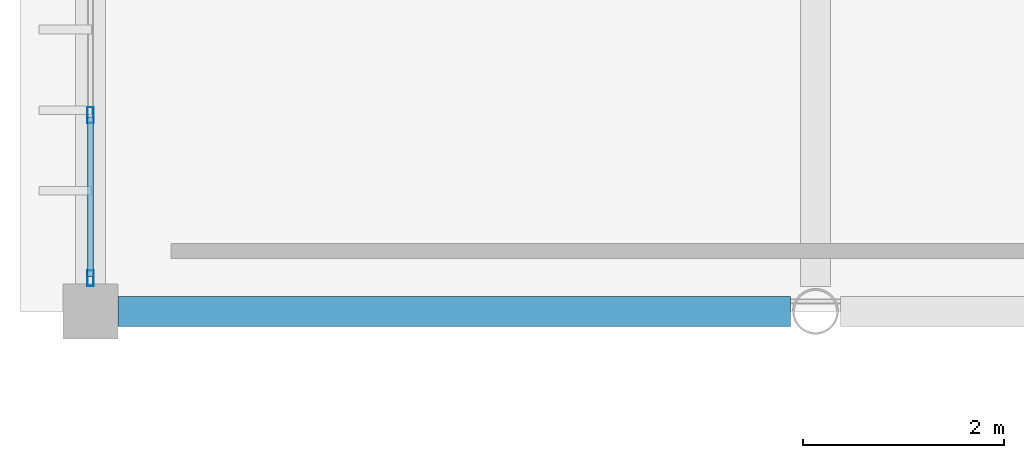
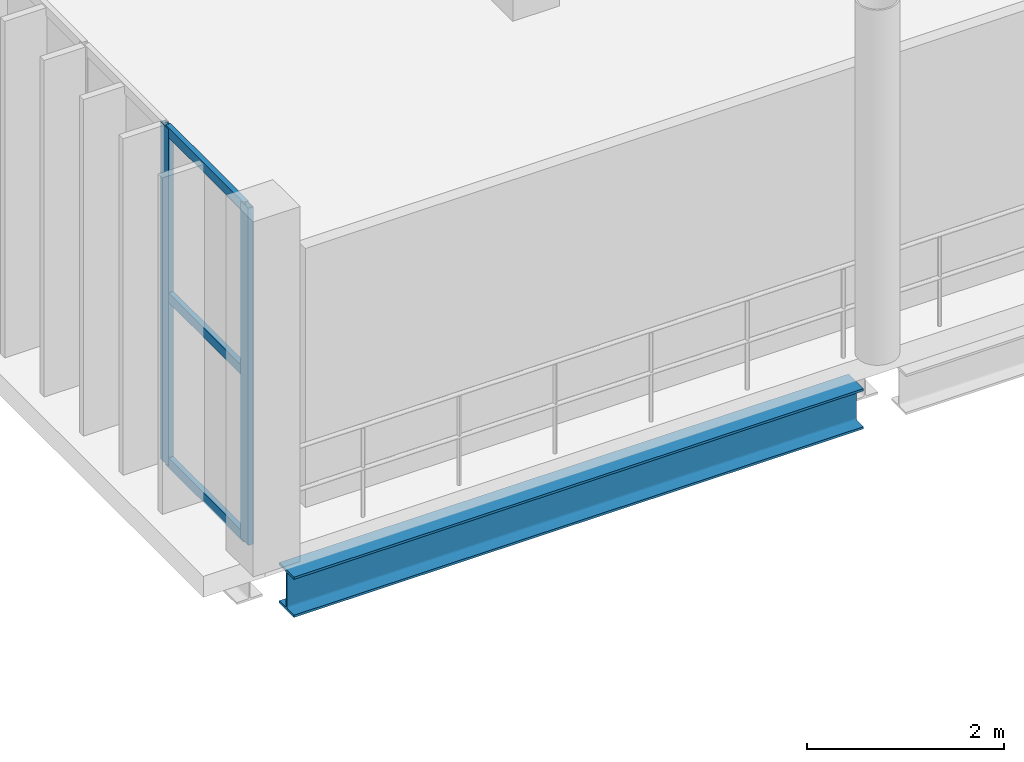
# One storey, part 13 of 81: 5 members, 1 beam, 1 element without a shape of its own.
"""IFC4 building model written with IfcOpenShell, lengths in metres."""

from ifc_helpers import new_model, si_unit, direction, frame, origin, origin_2d, place, context, subcontext, project, spatial, hollow_rectangle, i_section, extrude, material, material_profile, profile_set, type_object, element, aggregate, save


model = new_model("IFC4")

# Units and contexts
model_context = context("Model", 3, precision=1e-05, world=origin(), true_north=direction((0.0, 1.0)))
body_context = subcontext(model_context, "Body", "Model", "MODEL_VIEW")
ifc_project = project(units=[si_unit("LENGTHUNIT", "METRE"), si_unit("AREAUNIT", "SQUARE_METRE"), si_unit("VOLUMEUNIT", "CUBIC_METRE"), si_unit("PLANEANGLEUNIT", "RADIAN"), si_unit("MASSUNIT", "GRAM", prefix="KILO")], contexts=[model_context])

# Site, building, storey
site_placement = place(None, origin())
site = spatial("IfcSite", under=ifc_project, at=site_placement, CompositionType="ELEMENT")
building_placement = place(site_placement, origin())
building = spatial("IfcBuilding", under=site, at=building_placement, Name="Qandorah Velis Arena", CompositionType="ELEMENT")
storey_placement = place(building_placement, frame((0.0, 0.0, 18.60009765625)))
storey = spatial("IfcBuildingStorey", under=building, at=storey_placement, Name="L04", CompositionType="ELEMENT", Elevation=18.60009765625)

# Curtain wall, members
ifc_material_1 = material(Name="Solar-control low-E double glazing", Category="glass")
curtain_wall_type = type_object("IfcCurtainWallType", Name="ARC-CW-SYS07", PredefinedType="USERDEFINED", material=ifc_material_1)
curtain_wall_placement = place(storey_placement, origin())
curtain_wall = element("IfcCurtainWall", 1, at=curtain_wall_placement, inside=storey, type_object=curtain_wall_type, Name="Unitised curtain wall L04-031", ObjectType="UNITISED CURTAIN WALL", PredefinedType="USERDEFINED")
ifc_material_2 = material(Name="Champagne-bronze anodized aluminium 6063-T6", Category="aluminium")
ifc_material_profile_1 = material_profile(ifc_material_2, hollow_rectangle(XDim=0.06005859375, YDim=0.159912109375, WallThickness=0.00341796875, at=origin_2d()), Name="ALU MULLION 60x160")
ifc_profile_set_1 = profile_set([ifc_material_profile_1], Name="Champagne-bronze anodized aluminium 6063-T6")
member_type_1 = type_object("IfcMemberType", Name="ARC-CWM-160", PredefinedType="MULLION", material=ifc_profile_set_1)
member_1_placement = place(storey_placement, frame((0.0, 21.929931640625, -0.01513671875), z_axis=(0.0, 0.0, 1.0), x_axis=(-1.0, 0.0, 0.0)))
member_1 = element("IfcMember", 2, at=member_1_placement, type_object=member_type_1, Name="CW07 mullion 1", PredefinedType="MULLION", context=body_context, shape_type="SweptSolid", body=[
    extrude(hollow_rectangle(XDim=0.06005859375, YDim=0.159912109375, WallThickness=0.00341796875, at=origin_2d()), origin(), (0.0, 0.0, 1.0), 4.179931640625),
])
member_2_placement = place(storey_placement, frame((0.0, 23.550048828125, -0.01513671875), z_axis=(0.0, 0.0, 1.0), x_axis=(-1.0, 0.0, 0.0)))
member_2 = element("IfcMember", 3, at=member_2_placement, type_object=member_type_1, Name="CW07 mullion 2", PredefinedType="MULLION", context=body_context, shape_type="SweptSolid", body=[
    extrude(hollow_rectangle(XDim=0.06005859375, YDim=0.159912109375, WallThickness=0.00341796875, at=origin_2d()), origin(), (0.0, 0.0, 1.0), 4.179931640625),
])
ifc_material_profile_2 = material_profile(ifc_material_2, hollow_rectangle(XDim=0.06005859375, YDim=0.1201171875, WallThickness=0.0029296875, at=origin_2d()), Name="ALU TRANSOM 60x120")
ifc_profile_set_2 = profile_set([ifc_material_profile_2], Name="Champagne-bronze anodized aluminium 6063-T6")
member_type_2 = type_object("IfcMemberType", Name="ARC-CWT-120", PredefinedType="USERDEFINED", material=ifc_profile_set_2)
member_3_placement = place(storey_placement, frame((0.0, 21.947998046875, 0.02978515625), z_axis=(0.0, 1.0, 0.0), x_axis=(-1.0, 0.0, 0.0)))
member_3 = element("IfcMember", 4, at=member_3_placement, type_object=member_type_2, Name="CW07 transom 1.1", ObjectType="TRANSOM", PredefinedType="USERDEFINED", context=body_context, shape_type="SweptSolid", body=[
    extrude(hollow_rectangle(XDim=0.06005859375, YDim=0.1201171875, WallThickness=0.0029296875, at=origin_2d()), origin(), (0.0, 0.0, 1.0), 1.583984375),
])
member_4_placement = place(storey_placement, frame((0.0, 21.947998046875, 2.074951171875), z_axis=(0.0, 1.0, 0.0), x_axis=(-1.0, 0.0, 0.0)))
member_4 = element("IfcMember", 5, at=member_4_placement, type_object=member_type_2, Name="CW07 transom 1.2", ObjectType="TRANSOM", PredefinedType="USERDEFINED", context=body_context, shape_type="SweptSolid", body=[
    extrude(hollow_rectangle(XDim=0.06005859375, YDim=0.1201171875, WallThickness=0.0029296875, at=origin_2d()), origin(), (0.0, 0.0, 1.0), 1.583984375),
])
member_5_placement = place(storey_placement, frame((0.0, 21.947998046875, 4.119873046875), z_axis=(0.0, 1.0, 0.0), x_axis=(-1.0, 0.0, 0.0)))
member_5 = element("IfcMember", 6, at=member_5_placement, type_object=member_type_2, Name="CW07 transom 1.3", ObjectType="TRANSOM", PredefinedType="USERDEFINED", context=body_context, shape_type="SweptSolid", body=[
    extrude(hollow_rectangle(XDim=0.06005859375, YDim=0.1201171875, WallThickness=0.0029296875, at=origin_2d()), origin(), (0.0, 0.0, 1.0), 1.583984375),
])
aggregate(curtain_wall, [member_1, member_2, member_3, member_4, member_5])

# Beam
ifc_material_3 = material(Name="Steel S355", Category="steel")
ifc_material_profile_3 = material_profile(ifc_material_3, i_section(OverallWidth=0.300048828125, OverallDepth=0.5, WebThickness=0.014404296875, FlangeThickness=0.028076171875, FilletRadius=0.027099609375, at=origin_2d()), Name="HEB 500")
ifc_profile_set_3 = profile_set([ifc_material_profile_3], Name="Steel S355")
beam_type = type_object("IfcBeamType", Name="STR-BM-HEB500", PredefinedType="BEAM", material=ifc_profile_set_3)
beam_placement = place(storey_placement, frame((0.27490234375, 21.60009765625, -0.52001953125), z_axis=(1.0, 0.0, 0.0), x_axis=(0.0, 1.0, 0.0)))
element("IfcBeam", 7, at=beam_placement, inside=storey, type_object=beam_type, Name="Primary floor girder L04 X-034", PredefinedType="BEAM", context=body_context, shape_type="SweptSolid", body=[
    extrude(i_section(OverallWidth=0.300048828125, OverallDepth=0.5, WebThickness=0.014404296875, FlangeThickness=0.028076171875, FilletRadius=0.027099609375, at=origin_2d()), origin(), (0.0, 0.0, 1.0), 6.675048828125),
])

save(model, "model.ifc")
